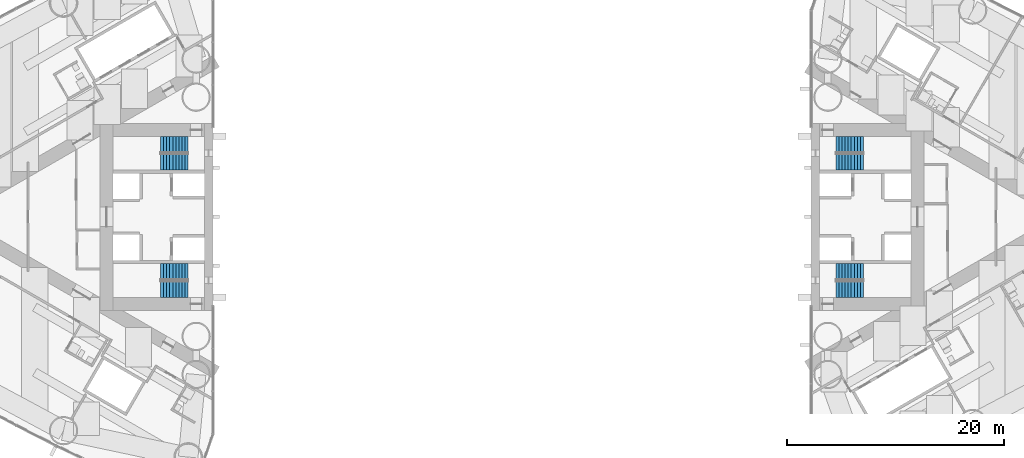
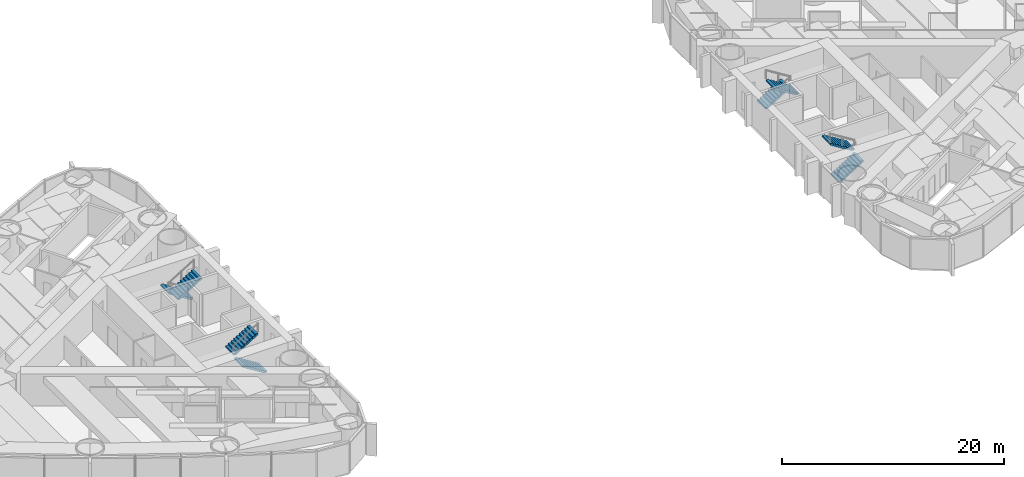
# One storey, part 16 of 18: 8 stair flights, 4 elements without a shape of their own.
"""IFC4 building model written with IfcOpenShell, lengths in metres."""

from ifc_helpers import new_model, si_unit, direction, frame, origin, place, context, subcontext, project, spatial, polyline, outline, extrude, material, type_object, element, aggregate, save


model = new_model("IFC4")

# Units and contexts
model_context = context("Model", 3, precision=1e-05, world=origin(), true_north=direction((0.0, 1.0)))
body_context = subcontext(model_context, "Body", "Model", "MODEL_VIEW")
ifc_project = project(units=[si_unit("LENGTHUNIT", "METRE"), si_unit("AREAUNIT", "SQUARE_METRE"), si_unit("VOLUMEUNIT", "CUBIC_METRE"), si_unit("PLANEANGLEUNIT", "RADIAN"), si_unit("MASSUNIT", "GRAM", prefix="KILO")], contexts=[model_context])

# Site, building, storey
site_placement = place(None, origin())
site = spatial("IfcSite", under=ifc_project, at=site_placement, CompositionType="ELEMENT")
building_placement = place(site_placement, origin())
building = spatial("IfcBuilding", under=site, at=building_placement, Name="Lancet Gate Hotel", CompositionType="ELEMENT")
storey_placement = place(building_placement, frame((0.0, 0.0, 136.10009765625)))
storey = spatial("IfcBuildingStorey", under=building, at=storey_placement, Name="L36", CompositionType="ELEMENT", Elevation=136.10009765625)

# Stair, stair flights
ifc_material_1 = material(Name="Exit stair 20 risers 1500")
stair_type = type_object("IfcStairType", Name="Exit stair 20 risers 1500", PredefinedType="HALF_TURN_STAIR", material=ifc_material_1)
stair_1_placement = place(storey_placement, origin())
stair_1 = element("IfcStair", 1, at=stair_1_placement, inside=storey, type_object=stair_type, Name="T1 stair 1 L36", PredefinedType="HALF_TURN_STAIR")
ifc_material_2 = material(Name="Stair flight 10 risers 175 rise 1500")
stair_flight_type = type_object("IfcStairFlightType", Name="Stair flight 10 risers 175 rise 1500", PredefinedType="STRAIGHT", material=ifc_material_2)
stair_flight_1_placement = place(storey_placement, frame((-29.800048828125, 6.64990234375, 0.0), z_axis=(0.0, 0.0, 1.0), x_axis=(-1.0, 0.0, 0.0)))
stair_flight_1 = element("IfcStairFlight", 2, at=stair_flight_1_placement, type_object=stair_flight_type, Name="ST1 flight 1", NumberOfRisers=10, NumberOfTreads=9, PredefinedType="STRAIGHT", RiserHeight=0.175, TreadLength=0.28, context=body_context, shape_type="SweptSolid", body=[
    extrude(outline(polyline([(0.0, 0.0), (0.0, 0.175048828125), (0.280029296875, 0.175048828125), (0.280029296875, 0.35009765625), (0.56005859375, 0.35009765625), (0.56005859375, 0.52490234375), (0.840087890625, 0.52490234375), (0.840087890625, 0.699951171875), (1.1201171875, 0.699951171875), (1.1201171875, 0.875), (1.39990234375, 0.875), (1.39990234375, 1.050048828125), (1.679931640625, 1.050048828125), (1.679931640625, 1.22509765625), (1.9599609375, 1.22509765625), (1.9599609375, 1.39990234375), (2.239990234375, 1.39990234375), (2.239990234375, 1.574951171875), (2.52001953125, 1.574951171875), (2.52001953125, 1.75), (2.52001953125, 1.398193359375), (0.28271484375, 0.0), (0.0, 0.0)])), frame((0.0, 0.75, 0.0), z_axis=(0.0, -1.0, 0.0), x_axis=(1.0, 0.0, 0.0)), (0.0, 0.0, 1.0), 1.5),
])
stair_flight_2_placement = place(storey_placement, frame((-32.320068359375, 5.050048828125, 1.75), z_axis=(0.0, 0.0, 1.0), x_axis=(1.0, 0.0, 0.0)))
stair_flight_2 = element("IfcStairFlight", 3, at=stair_flight_2_placement, type_object=stair_flight_type, Name="ST1 flight 2", NumberOfRisers=10, NumberOfTreads=9, PredefinedType="STRAIGHT", RiserHeight=0.175, TreadLength=0.28, context=body_context, shape_type="SweptSolid", body=[
    extrude(outline(polyline([(0.0, 0.0), (0.0, 0.175048828125), (0.280029296875, 0.175048828125), (0.280029296875, 0.35009765625), (0.56005859375, 0.35009765625), (0.56005859375, 0.52490234375), (0.840087890625, 0.52490234375), (0.840087890625, 0.699951171875), (1.1201171875, 0.699951171875), (1.1201171875, 0.875), (1.39990234375, 0.875), (1.39990234375, 1.050048828125), (1.679931640625, 1.050048828125), (1.679931640625, 1.22509765625), (1.9599609375, 1.22509765625), (1.9599609375, 1.39990234375), (2.239990234375, 1.39990234375), (2.239990234375, 1.574951171875), (2.52001953125, 1.574951171875), (2.52001953125, 1.75), (2.52001953125, 1.398193359375), (0.28271484375, 0.0), (0.0, 0.0)])), frame((0.0, 0.75, 0.0), z_axis=(0.0, -1.0, 0.0), x_axis=(1.0, 0.0, 0.0)), (0.0, 0.0, 1.0), 1.5),
])
aggregate(stair_1, [stair_flight_1, stair_flight_2])

stair_2_placement = place(storey_placement, origin())
stair_2 = element("IfcStair", 4, at=stair_2_placement, inside=storey, type_object=stair_type, Name="T1 stair 2 L36", PredefinedType="HALF_TURN_STAIR")
stair_flight_3_placement = place(storey_placement, frame((-29.800048828125, -6.64990234375, 0.0), z_axis=(0.0, 0.0, 1.0), x_axis=(-1.0, 0.0, 0.0)))
stair_flight_3 = element("IfcStairFlight", 5, at=stair_flight_3_placement, type_object=stair_flight_type, Name="ST2 flight 1", NumberOfRisers=10, NumberOfTreads=9, PredefinedType="STRAIGHT", RiserHeight=0.175, TreadLength=0.28, context=body_context, shape_type="SweptSolid", body=[
    extrude(outline(polyline([(0.0, 0.0), (0.0, 0.175048828125), (0.280029296875, 0.175048828125), (0.280029296875, 0.35009765625), (0.56005859375, 0.35009765625), (0.56005859375, 0.52490234375), (0.840087890625, 0.52490234375), (0.840087890625, 0.699951171875), (1.1201171875, 0.699951171875), (1.1201171875, 0.875), (1.39990234375, 0.875), (1.39990234375, 1.050048828125), (1.679931640625, 1.050048828125), (1.679931640625, 1.22509765625), (1.9599609375, 1.22509765625), (1.9599609375, 1.39990234375), (2.239990234375, 1.39990234375), (2.239990234375, 1.574951171875), (2.52001953125, 1.574951171875), (2.52001953125, 1.75), (2.52001953125, 1.398193359375), (0.28271484375, 0.0), (0.0, 0.0)])), frame((0.0, 0.75, 0.0), z_axis=(0.0, -1.0, 0.0), x_axis=(1.0, 0.0, 0.0)), (0.0, 0.0, 1.0), 1.5),
])
stair_flight_4_placement = place(storey_placement, frame((-32.320068359375, -5.050048828125, 1.75), z_axis=(0.0, 0.0, 1.0), x_axis=(1.0, 0.0, 0.0)))
stair_flight_4 = element("IfcStairFlight", 6, at=stair_flight_4_placement, type_object=stair_flight_type, Name="ST2 flight 2", NumberOfRisers=10, NumberOfTreads=9, PredefinedType="STRAIGHT", RiserHeight=0.175, TreadLength=0.28, context=body_context, shape_type="SweptSolid", body=[
    extrude(outline(polyline([(0.0, 0.0), (0.0, 0.175048828125), (0.280029296875, 0.175048828125), (0.280029296875, 0.35009765625), (0.56005859375, 0.35009765625), (0.56005859375, 0.52490234375), (0.840087890625, 0.52490234375), (0.840087890625, 0.699951171875), (1.1201171875, 0.699951171875), (1.1201171875, 0.875), (1.39990234375, 0.875), (1.39990234375, 1.050048828125), (1.679931640625, 1.050048828125), (1.679931640625, 1.22509765625), (1.9599609375, 1.22509765625), (1.9599609375, 1.39990234375), (2.239990234375, 1.39990234375), (2.239990234375, 1.574951171875), (2.52001953125, 1.574951171875), (2.52001953125, 1.75), (2.52001953125, 1.398193359375), (0.28271484375, 0.0), (0.0, 0.0)])), frame((0.0, 0.75, 0.0), z_axis=(0.0, -1.0, 0.0), x_axis=(1.0, 0.0, 0.0)), (0.0, 0.0, 1.0), 1.5),
])
aggregate(stair_2, [stair_flight_3, stair_flight_4])

stair_3_placement = place(storey_placement, origin())
stair_3 = element("IfcStair", 7, at=stair_3_placement, inside=storey, type_object=stair_type, Name="T2 stair 1 L36", PredefinedType="HALF_TURN_STAIR")
stair_flight_5_placement = place(storey_placement, frame((29.800048828125, -6.64990234375, 0.0), z_axis=(0.0, 0.0, 1.0), x_axis=(1.0, 0.0, 0.0)))
stair_flight_5 = element("IfcStairFlight", 8, at=stair_flight_5_placement, type_object=stair_flight_type, Name="ST3 flight 1", NumberOfRisers=10, NumberOfTreads=9, PredefinedType="STRAIGHT", RiserHeight=0.175, TreadLength=0.28, context=body_context, shape_type="SweptSolid", body=[
    extrude(outline(polyline([(0.0, 0.0), (0.0, 0.175048828125), (0.280029296875, 0.175048828125), (0.280029296875, 0.35009765625), (0.56005859375, 0.35009765625), (0.56005859375, 0.52490234375), (0.840087890625, 0.52490234375), (0.840087890625, 0.699951171875), (1.1201171875, 0.699951171875), (1.1201171875, 0.875), (1.39990234375, 0.875), (1.39990234375, 1.050048828125), (1.679931640625, 1.050048828125), (1.679931640625, 1.22509765625), (1.9599609375, 1.22509765625), (1.9599609375, 1.39990234375), (2.239990234375, 1.39990234375), (2.239990234375, 1.574951171875), (2.52001953125, 1.574951171875), (2.52001953125, 1.75), (2.52001953125, 1.398193359375), (0.28271484375, 0.0), (0.0, 0.0)])), frame((0.0, 0.75, 0.0), z_axis=(0.0, -1.0, 0.0), x_axis=(1.0, 0.0, 0.0)), (0.0, 0.0, 1.0), 1.5),
])
stair_flight_6_placement = place(storey_placement, frame((32.320068359375, -5.050048828125, 1.75), z_axis=(0.0, 0.0, 1.0), x_axis=(-1.0, 0.0, 0.0)))
stair_flight_6 = element("IfcStairFlight", 9, at=stair_flight_6_placement, type_object=stair_flight_type, Name="ST3 flight 2", NumberOfRisers=10, NumberOfTreads=9, PredefinedType="STRAIGHT", RiserHeight=0.175, TreadLength=0.28, context=body_context, shape_type="SweptSolid", body=[
    extrude(outline(polyline([(0.0, 0.0), (0.0, 0.175048828125), (0.280029296875, 0.175048828125), (0.280029296875, 0.35009765625), (0.56005859375, 0.35009765625), (0.56005859375, 0.52490234375), (0.840087890625, 0.52490234375), (0.840087890625, 0.699951171875), (1.1201171875, 0.699951171875), (1.1201171875, 0.875), (1.39990234375, 0.875), (1.39990234375, 1.050048828125), (1.679931640625, 1.050048828125), (1.679931640625, 1.22509765625), (1.9599609375, 1.22509765625), (1.9599609375, 1.39990234375), (2.239990234375, 1.39990234375), (2.239990234375, 1.574951171875), (2.52001953125, 1.574951171875), (2.52001953125, 1.75), (2.52001953125, 1.398193359375), (0.28271484375, 0.0), (0.0, 0.0)])), frame((0.0, 0.75, 0.0), z_axis=(0.0, -1.0, 0.0), x_axis=(1.0, 0.0, 0.0)), (0.0, 0.0, 1.0), 1.5),
])
aggregate(stair_3, [stair_flight_5, stair_flight_6])

stair_4_placement = place(storey_placement, origin())
stair_4 = element("IfcStair", 10, at=stair_4_placement, inside=storey, type_object=stair_type, Name="T2 stair 2 L36", PredefinedType="HALF_TURN_STAIR")
stair_flight_7_placement = place(storey_placement, frame((29.800048828125, 6.64990234375, 0.0), z_axis=(0.0, 0.0, 1.0), x_axis=(1.0, 0.0, 0.0)))
stair_flight_7 = element("IfcStairFlight", 11, at=stair_flight_7_placement, type_object=stair_flight_type, Name="ST4 flight 1", NumberOfRisers=10, NumberOfTreads=9, PredefinedType="STRAIGHT", RiserHeight=0.175, TreadLength=0.28, context=body_context, shape_type="SweptSolid", body=[
    extrude(outline(polyline([(0.0, 0.0), (0.0, 0.175048828125), (0.280029296875, 0.175048828125), (0.280029296875, 0.35009765625), (0.56005859375, 0.35009765625), (0.56005859375, 0.52490234375), (0.840087890625, 0.52490234375), (0.840087890625, 0.699951171875), (1.1201171875, 0.699951171875), (1.1201171875, 0.875), (1.39990234375, 0.875), (1.39990234375, 1.050048828125), (1.679931640625, 1.050048828125), (1.679931640625, 1.22509765625), (1.9599609375, 1.22509765625), (1.9599609375, 1.39990234375), (2.239990234375, 1.39990234375), (2.239990234375, 1.574951171875), (2.52001953125, 1.574951171875), (2.52001953125, 1.75), (2.52001953125, 1.398193359375), (0.28271484375, 0.0), (0.0, 0.0)])), frame((0.0, 0.75, 0.0), z_axis=(0.0, -1.0, 0.0), x_axis=(1.0, 0.0, 0.0)), (0.0, 0.0, 1.0), 1.5),
])
stair_flight_8_placement = place(storey_placement, frame((32.320068359375, 5.050048828125, 1.75), z_axis=(0.0, 0.0, 1.0), x_axis=(-1.0, 0.0, 0.0)))
stair_flight_8 = element("IfcStairFlight", 12, at=stair_flight_8_placement, type_object=stair_flight_type, Name="ST4 flight 2", NumberOfRisers=10, NumberOfTreads=9, PredefinedType="STRAIGHT", RiserHeight=0.175, TreadLength=0.28, context=body_context, shape_type="SweptSolid", body=[
    extrude(outline(polyline([(0.0, 0.0), (0.0, 0.175048828125), (0.280029296875, 0.175048828125), (0.280029296875, 0.35009765625), (0.56005859375, 0.35009765625), (0.56005859375, 0.52490234375), (0.840087890625, 0.52490234375), (0.840087890625, 0.699951171875), (1.1201171875, 0.699951171875), (1.1201171875, 0.875), (1.39990234375, 0.875), (1.39990234375, 1.050048828125), (1.679931640625, 1.050048828125), (1.679931640625, 1.22509765625), (1.9599609375, 1.22509765625), (1.9599609375, 1.39990234375), (2.239990234375, 1.39990234375), (2.239990234375, 1.574951171875), (2.52001953125, 1.574951171875), (2.52001953125, 1.75), (2.52001953125, 1.398193359375), (0.28271484375, 0.0), (0.0, 0.0)])), frame((0.0, 0.75, 0.0), z_axis=(0.0, -1.0, 0.0), x_axis=(1.0, 0.0, 0.0)), (0.0, 0.0, 1.0), 1.5),
])
aggregate(stair_4, [stair_flight_7, stair_flight_8])

save(model, "model.ifc")
